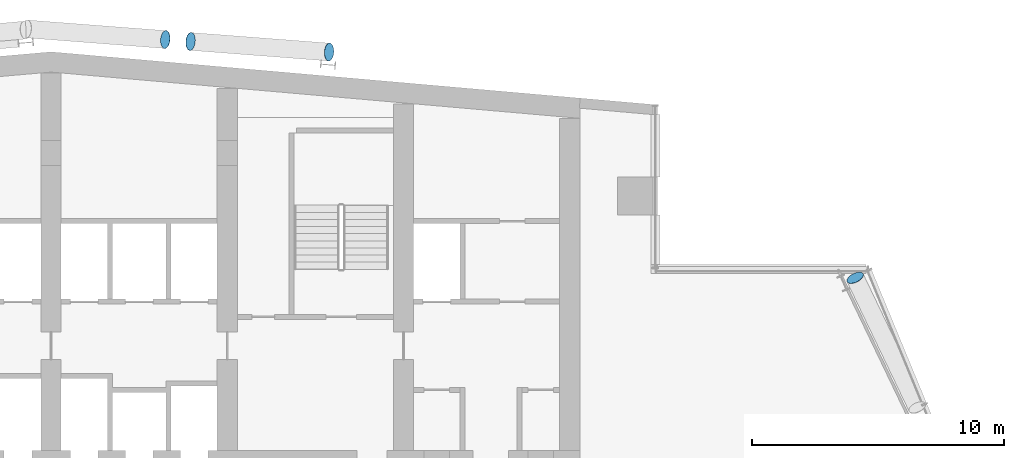
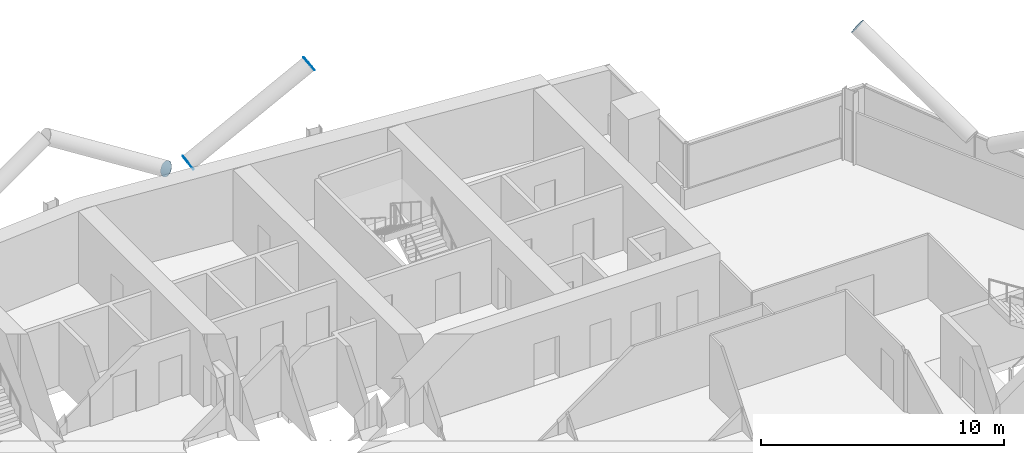
# One storey, part 22 of 26: 4 discrete accessories.
"""IFC4 building model written with IfcOpenShell, lengths in metres."""

import ifcopenshell
import ifcopenshell.guid

model = None  # the IFC model being written
_history = None  # IfcOwnerHistory: only IFC2X3 demands one
_inside = {}  # id of a spatial element -> (the spatial element, [elements in it])
_under = {}  # id of a project, library or spatial element -> (it, [spatial elements below it])
_declared = {}  # id of a project -> (the project, [libraries it declares])
_typed = {}  # id of a type object -> (the type object, [elements of that type])
_made_of = {}  # id of a material, layer set ... -> (it, [elements and type objects made of it])


def new_model(schema):
    """Start an empty IFC model of exactly this schema.

    Asked for "IFC4X3", IfcOpenShell would pick the latest addendum, in which some entities
    have other attributes; the version numbers below select the first issue.
    IFC2X3 requires an IfcOwnerHistory on every rooted entity: one is made here for all.
    """
    global model, _history
    if schema == "IFC4X3":
        model = ifcopenshell.file(schema_version=(4, 3, 0, 0))
    else:
        model = ifcopenshell.file(schema=schema)
    _inside.clear()
    _under.clear()
    _declared.clear()
    _typed.clear()
    _made_of.clear()
    _history = None
    if model.schema == "IFC2X3":
        org = make("IfcOrganization", Name="unknown")
        user = make(
            "IfcPersonAndOrganization",
            ThePerson=make("IfcPerson", FamilyName="unknown"),
            TheOrganization=org,
        )
        app = make(
            "IfcApplication",
            ApplicationDeveloper=org,
            Version="unknown",
            ApplicationFullName="unknown",
            ApplicationIdentifier="unknown",
        )
        _history = make(
            "IfcOwnerHistory",
            OwningUser=user,
            OwningApplication=app,
            ChangeAction="ADDED",
            CreationDate=0,
        )
    return model


def make(cls, **values):
    """One entity of the class cls with the attributes given. An attribute that is None is left unset."""
    return model.create_entity(
        cls, **{name: value for name, value in values.items() if value is not None}
    )


def rooted(cls, **values):
    """An entity with a GlobalId (a new one), such as an element, a storey or a relation."""
    return make(cls, GlobalId=ifcopenshell.guid.new(), OwnerHistory=_history, **values)


def si_unit(unit_type, name, prefix=None):
    """IfcSIUnit, for example si_unit("LENGTHUNIT", "METRE", prefix="MILLI")."""
    return make("IfcSIUnit", UnitType=unit_type, Prefix=prefix, Name=name)


def assignment(units):
    """IfcUnitAssignment: the units of a project."""
    return None if units is None else make("IfcUnitAssignment", Units=units)


def point(xyz):
    """IfcCartesianPoint."""
    return None if xyz is None else make("IfcCartesianPoint", Coordinates=xyz)


def direction(xyz):
    """IfcDirection."""
    return None if xyz is None else make("IfcDirection", DirectionRatios=xyz)


def frame(location, z_axis=None, x_axis=None):
    """IfcAxis2Placement3D, a coordinate frame: its origin and axes. An axis left out is left unset."""
    return make(
        "IfcAxis2Placement3D",
        Location=point(location),
        Axis=direction(z_axis),
        RefDirection=direction(x_axis),
    )


def frame_2d(location, x_axis=None):
    """IfcAxis2Placement2D, a coordinate frame in the plane: its origin and x axis."""
    return make(
        "IfcAxis2Placement2D", Location=point(location), RefDirection=direction(x_axis)
    )


def origin():
    """The frame at (0, 0, 0) with its axes left unset."""
    return frame((0.0, 0.0, 0.0))


def origin_2d():
    """The frame at (0, 0) in the plane with its x axis left unset."""
    return frame_2d((0.0, 0.0))


def place(relative_to, where):
    """IfcLocalPlacement: puts the frame where relative to a parent placement (None: the world)."""
    return make(
        "IfcLocalPlacement", PlacementRelTo=relative_to, RelativePlacement=where
    )


def context(
    kind, dimensions, precision=None, world=None, true_north=None, identifier=None
):
    """IfcGeometricRepresentationContext, for example the 3D "Model" context."""
    return make(
        "IfcGeometricRepresentationContext",
        ContextIdentifier=identifier,
        ContextType=kind,
        CoordinateSpaceDimension=dimensions,
        Precision=precision,
        WorldCoordinateSystem=world,
        TrueNorth=true_north,
    )


def subcontext(parent, identifier, kind, view, scale=None):
    """IfcGeometricRepresentationSubContext, for example "Body" below "Model"."""
    return make(
        "IfcGeometricRepresentationSubContext",
        ContextIdentifier=identifier,
        ContextType=kind,
        ParentContext=parent,
        TargetScale=scale,
        TargetView=view,
    )


def project(units=None, contexts=None):
    """IfcProject with its units and contexts."""
    return rooted(
        "IfcProject",
        Name="project",
        RepresentationContexts=contexts,
        UnitsInContext=assignment(units),
    )


def spatial(cls, under=None, at=None, **own):
    """A site, building, storey or space (cls), placed at a placement, below another one or the project."""
    s = rooted(cls, ObjectPlacement=at, **own)
    if under is not None:
        _under.setdefault(under.id(), (under, []))[1].append(s)
    return s


def profile(cls, at=None, kind="AREA", **sizes):
    """A parametric profile (cls). Its sizes go by their IFC names, for example OverallWidth=200.0."""
    return make(cls, ProfileType=kind, Position=at, **sizes)


def circle(**sizes):
    """IfcCircleProfileDef."""
    return profile("IfcCircleProfileDef", **sizes)


def extrude(swept, where, along, depth):
    """IfcExtrudedAreaSolid: the profile swept, set in the frame where, extruded along a direction by depth."""
    return make(
        "IfcExtrudedAreaSolid",
        SweptArea=swept,
        Position=where,
        ExtrudedDirection=direction(along),
        Depth=depth,
    )


def shape(context_of_items, identifier, shape_type, items):
    """IfcShapeRepresentation: the items that make up one representation, for example the "Body"."""
    return make(
        "IfcShapeRepresentation",
        ContextOfItems=context_of_items,
        RepresentationIdentifier=identifier,
        RepresentationType=shape_type,
        Items=items,
    )


def material(Name=None, Category=None):
    """IfcMaterial."""
    return make("IfcMaterial", Name=Name, Category=Category)


def material_profile(
    of_material, cross_section, Name=None, Category=None, Priority=None
):
    """IfcMaterialProfile: a cross section and its material."""
    return make(
        "IfcMaterialProfile",
        Name=Name,
        Material=of_material,
        Profile=cross_section,
        Priority=Priority,
        Category=Category,
    )


def profile_set(profiles, Name=None, composite=None):
    """IfcMaterialProfileSet."""
    return make(
        "IfcMaterialProfileSet",
        Name=Name,
        MaterialProfiles=profiles,
        CompositeProfile=composite,
    )


def made_of(thing, what):
    """Note that an element or type object is made of a material, layer set ...; save() writes the relation."""
    if what is not None:
        _made_of.setdefault(what.id(), (what, []))[1].append(thing)
    return thing


def type_object(cls, material=None, **own):
    """A type object (cls), such as IfcWallType, which elements share."""
    return made_of(rooted(cls, **own), material)


def element(
    cls,
    number,
    at=None,
    inside=None,
    cuts=None,
    type_object=None,
    material=None,
    context=None,
    identifier="Body",
    shape_type=None,
    held_by="IfcProductDefinitionShape",
    body=None,
    shapes=None,
    **own,
):
    """One element of the class cls, such as IfcWall. Its Tag is "e" and its number.

    at: its placement. inside: the storey or other place that contains it. cuts: it is an
    opening in that element (IfcRelVoidsElement). A single representation is given by context,
    identifier, shape_type and body (its items); several are given by shapes. held_by: the class
    of the entity that holds the representations. save() writes the other relations.
    """
    e = rooted(cls, Tag="e%d" % number, ObjectPlacement=at, **own)
    if body is not None:
        shapes = [shape(context, identifier, shape_type, body)]
    if shapes is not None:
        e.Representation = make(held_by, Representations=shapes)
    if inside is not None:
        _inside.setdefault(inside.id(), (inside, []))[1].append(e)
    if cuts is not None:
        rooted(
            "IfcRelVoidsElement", RelatingBuildingElement=cuts, RelatedOpeningElement=e
        )
    if type_object is not None:
        _typed.setdefault(type_object.id(), (type_object, []))[1].append(e)
    return made_of(e, material)


def aggregate(whole, parts):
    """IfcRelAggregates: a whole, such as a stair, and the parts it consists of."""
    return rooted("IfcRelAggregates", RelatingObject=whole, RelatedObjects=parts)


def save(model, path):
    """Write the relations noted so far, then the file.

    IfcRelAggregates (storeys below a building ...), IfcRelContainedInSpatialStructure (elements
    in a storey), IfcRelDefinesByType, IfcRelAssociatesMaterial and IfcRelDeclares: one each for
    every whole, place, type object, material and project.
    """
    for whole, parts in _under.values():
        aggregate(whole, parts)
    for where, things in _inside.values():
        rooted(
            "IfcRelContainedInSpatialStructure",
            RelatedElements=things,
            RelatingStructure=where,
        )
    for kind, things in _typed.values():
        rooted("IfcRelDefinesByType", RelatedObjects=things, RelatingType=kind)
    for what, things in _made_of.values():
        rooted("IfcRelAssociatesMaterial", RelatedObjects=things, RelatingMaterial=what)
    for by, libraries in _declared.values():
        rooted("IfcRelDeclares", RelatingContext=by, RelatedDefinitions=libraries)
    model.write(path)


model = new_model("IFC4")

# Units and contexts
model_context = context("Model", 3, precision=1e-05, world=origin(), true_north=direction((0.0, 1.0)))
body_context = subcontext(model_context, "Body", "Model", "MODEL_VIEW")
ifc_project = project(units=[si_unit("LENGTHUNIT", "METRE"), si_unit("AREAUNIT", "SQUARE_METRE"), si_unit("VOLUMEUNIT", "CUBIC_METRE"), si_unit("PLANEANGLEUNIT", "RADIAN"), si_unit("MASSUNIT", "GRAM", prefix="KILO")], contexts=[model_context])

# Site, building, storey
site_placement = place(None, origin())
site = spatial("IfcSite", under=ifc_project, at=site_placement, CompositionType="ELEMENT")
building_placement = place(site_placement, origin())
building = spatial("IfcBuilding", under=site, at=building_placement, Name="Wharfspan Tower", CompositionType="ELEMENT")
storey_placement = place(building_placement, frame((0.0, 0.0, 166.300049)))
storey = spatial("IfcBuildingStorey", under=building, at=storey_placement, Name="L40", CompositionType="ELEMENT", Elevation=166.300049)

# Discrete accessories
ifc_material = material(Name="Steel S460NH", Category="steel")
ifc_material_profile = material_profile(ifc_material, circle(Radius=0.355469, at=origin_2d()))
ifc_profile_set = profile_set([ifc_material_profile], Name="Steel S460NH")
discrete_accessory_type = type_object("IfcDiscreteAccessoryType", Name="End plate CHS 711x36", PredefinedType="BRACKET", material=ifc_profile_set)
for number, where, z_axis, x_axis, name in (
    (1, (68.938721, 41.643066, 6.5), (-0.39036, 0.78072, 0.48795), (-0.894428, -0.447214, 0.0), "End plate CHS 711x36"),
    (2, (42.534668, 51.038086, 3.197754), (0.855186, -0.073302, 0.513112), (0.085402, 0.996345, -1e-06), "End plate CHS 711x36"),
    (3, (48.036865, 50.617676, 6.5), (0.856465, -0.048941, 0.513879), (0.05705, 0.998372, 0.0), "End plate CHS 711x36"),
    (4, (41.541992, 51.11377, 3.197754), (-0.855186, 0.073302, 0.513112), (-0.085402, -0.996345, -1e-06), "End plate CHS 711x36"),
):
    element("IfcDiscreteAccessory", number, at=place(storey_placement, frame(where, z_axis=z_axis, x_axis=x_axis)), inside=storey, type_object=discrete_accessory_type, Name=name, PredefinedType="BRACKET", context=body_context, shape_type="SweptSolid", body=[
        extrude(circle(Radius=0.355469, at=origin_2d()), origin(), (0.0, 0.0, 1.0), 0.01001),
    ])

save(model, "model.ifc")
